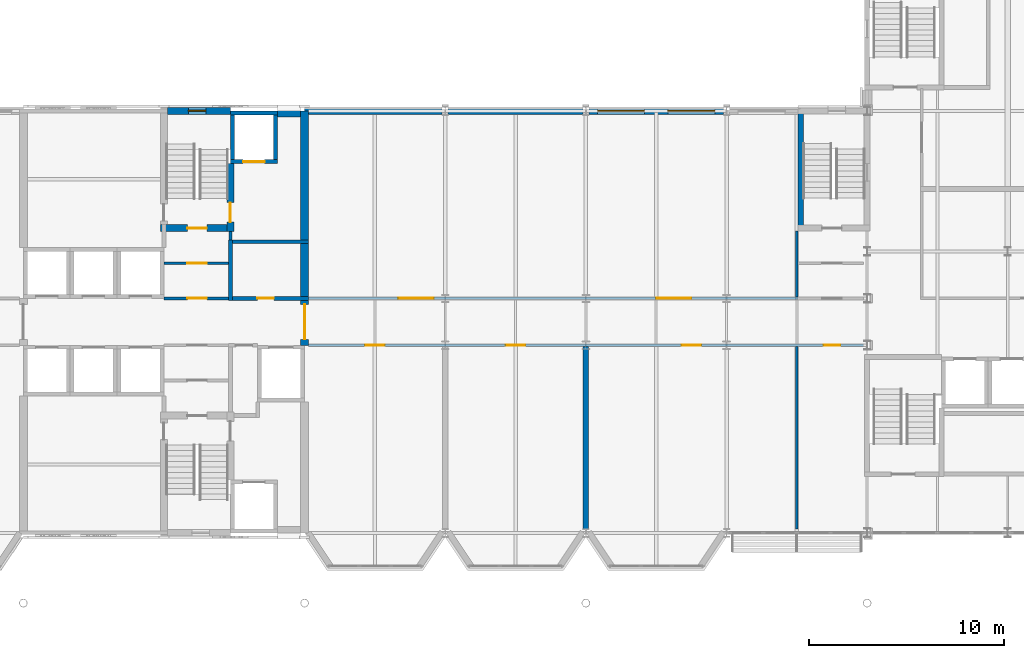
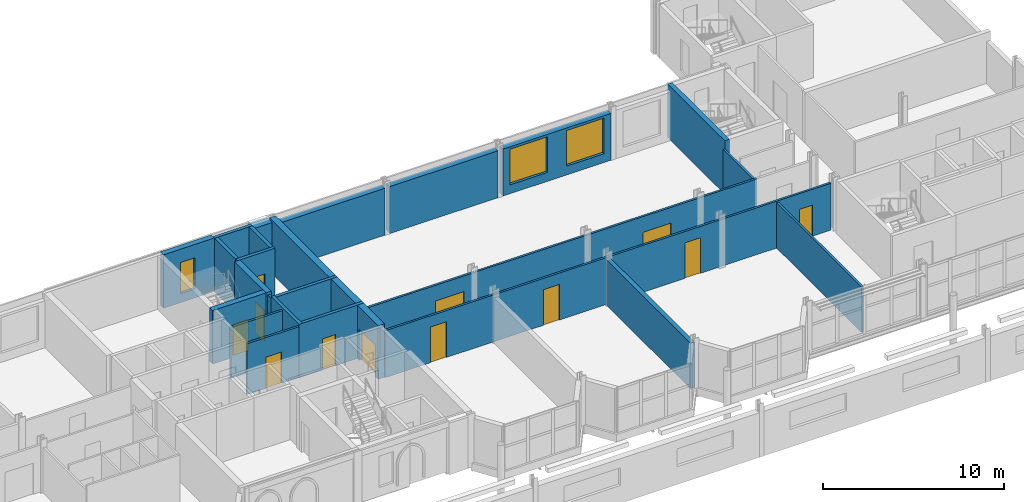
# One storey, part 76 of 124: 26 walls, 13 doors, 3 windows, 16 openings.
"""IFC4 building model written with IfcOpenShell, lengths in metres."""

from ifc_helpers import new_model, si_unit, direction, frame, frame_2d, origin, place, context, subcontext, project, spatial, rectangle, extrude, material, layer, layer_set, type_object, element, fill, save


model = new_model("IFC4")

# Units and contexts
model_context = context("Model", 3, precision=1e-05, world=origin(), true_north=direction((0.0, 1.0)))
body_context = subcontext(model_context, "Body", "Model", "MODEL_VIEW")
ifc_project = project(units=[si_unit("LENGTHUNIT", "METRE"), si_unit("AREAUNIT", "SQUARE_METRE"), si_unit("VOLUMEUNIT", "CUBIC_METRE"), si_unit("PLANEANGLEUNIT", "RADIAN"), si_unit("MASSUNIT", "GRAM", prefix="KILO")], contexts=[model_context])

# Site, building, storey
site_placement = place(None, origin())
site = spatial("IfcSite", under=ifc_project, at=site_placement, CompositionType="ELEMENT")
building_placement = place(site_placement, origin())
building = spatial("IfcBuilding", under=site, at=building_placement, Name="Kupolbacken Congress Centre", CompositionType="ELEMENT")
storey_placement = place(building_placement, frame((0.0, 0.0, 10.800048828125)))
storey = spatial("IfcBuildingStorey", under=building, at=storey_placement, Name="L03", CompositionType="ELEMENT", Elevation=10.800048828125)

# Wall, openings, windows
ifc_material_1 = material(Name="Limestone", Category="masonry")
ifc_layer_1 = layer(ifc_material_1, 0.1201171875)
ifc_material_2 = material(Name="Air cavity", Category="air")
ifc_layer_2 = layer(ifc_material_2, 0.0400390625, ventilated=True)
ifc_material_3 = material(Name="Mineral wool", Category="insulation")
ifc_layer_3 = layer(ifc_material_3, 0.169921875)
ifc_material_4 = material(Name="Steel studs", Category="metal")
ifc_layer_4 = layer(ifc_material_4, 0.050048828125)
ifc_layer_set_1 = layer_set([ifc_layer_1, ifc_layer_2, ifc_layer_3, ifc_layer_4], Name="Limestone / Mineral wool / Steel studs")
wall_type_1 = type_object("IfcWallType", Name="EW03 external cavity wall 380", PredefinedType="SOLIDWALL", material=ifc_layer_set_1)
wall_1_placement = place(storey_placement, frame((129.446533203125, 144.0, 0.0), z_axis=(0.0, 0.0, 1.0), x_axis=(-1.0, 0.0, 0.0)))
wall_1 = element("IfcWall", 1, at=wall_1_placement, inside=storey, type_object=wall_type_1, Name="E/T/N/L03/034", PredefinedType="SOLIDWALL", context=body_context, shape_type="SweptSolid", body=[
    extrude(rectangle(XDim=6.89306640625, YDim=0.3798828125, at=frame_2d((3.446533203125, 0.0))), origin(), (0.0, 0.0, 1.0), 3.159912109375),
])
opening_1_placement = place(wall_1_placement, frame((4.04638671875, 0.0, 0.60009765625)))
opening_1 = element("IfcOpeningElement", 2, at=opening_1_placement, cuts=wall_1, Name="Opening W30", PredefinedType="OPENING", context=body_context, shape_type="SweptSolid", body=[
    extrude(rectangle(XDim=2.39990234375, YDim=2.39990234375, at=frame_2d((1.199951171875, 1.199951171875))), frame((0.0, 0.199951171875, 0.0), z_axis=(0.0, -1.0, 0.0), x_axis=(1.0, 0.0, 0.0)), (0.0, 0.0, 1.0), 0.39990234375),
])
opening_2_placement = place(wall_1_placement, frame((0.446533203125, 0.0, 0.60009765625)))
opening_2 = element("IfcOpeningElement", 3, at=opening_2_placement, cuts=wall_1, Name="Opening W30", PredefinedType="OPENING", context=body_context, shape_type="SweptSolid", body=[
    extrude(rectangle(XDim=2.39990234375, YDim=2.39990234375, at=frame_2d((1.199951171875, 1.199951171875))), frame((0.0, 0.199951171875, 0.0), z_axis=(0.0, -1.0, 0.0), x_axis=(1.0, 0.0, 0.0)), (0.0, 0.0, 1.0), 0.39990234375),
])
ifc_material_5 = material(Name="Aluminium frame with double or triple glazing", Category="aluminium")
window_type_1 = type_object("IfcWindowType", Name="W30 window 2400x2400", PartitioningType="DOUBLE_PANEL_VERTICAL", PredefinedType="WINDOW", material=ifc_material_5)
window_1_placement = place(opening_1_placement, origin())
window_1 = element("IfcWindow", 4, at=window_1_placement, inside=storey, type_object=window_type_1, Name="E/T/N/L03/034/W1", OverallHeight=2.39990234375, OverallWidth=2.39990234375, PartitioningType="SINGLE_PANEL", PredefinedType="WINDOW", context=body_context, shape_type="SweptSolid", body=[
    extrude(rectangle(XDim=2.39990234375, YDim=2.39990234375, at=frame_2d((1.199951171875, 1.199951171875))), frame((0.0, 0.030029296875, 0.0), z_axis=(0.0, -1.0, 0.0), x_axis=(1.0, 0.0, 0.0)), (0.0, 0.0, 1.0), 0.06005859375),
])
fill(opening_1, window_1)
window_2_placement = place(opening_2_placement, origin())
window_2 = element("IfcWindow", 5, at=window_2_placement, inside=storey, type_object=window_type_1, Name="E/T/N/L03/034/W2", OverallHeight=2.39990234375, OverallWidth=2.39990234375, PartitioningType="SINGLE_PANEL", PredefinedType="WINDOW", context=body_context, shape_type="SweptSolid", body=[
    extrude(rectangle(XDim=2.39990234375, YDim=2.39990234375, at=frame_2d((1.199951171875, 1.199951171875))), frame((0.0, 0.030029296875, 0.0), z_axis=(0.0, -1.0, 0.0), x_axis=(1.0, 0.0, 0.0)), (0.0, 0.0, 1.0), 0.06005859375),
])
fill(opening_2, window_2)

# Walls
wall_2_placement = place(storey_placement, frame((122.24658203125, 144.0, 0.0), z_axis=(0.0, 0.0, 1.0), x_axis=(-1.0, 0.0, 0.0)))
element("IfcWall", 6, at=wall_2_placement, inside=storey, type_object=wall_type_1, Name="E/T/N/L03/035", PredefinedType="SOLIDWALL", context=body_context, shape_type="SweptSolid", body=[
    extrude(rectangle(XDim=6.89306640625, YDim=0.3798828125, at=frame_2d((3.446533203125, 0.0))), origin(), (0.0, 0.0, 1.0), 3.159912109375),
])
wall_3_placement = place(storey_placement, frame((115.04638671875, 144.0, 0.0), z_axis=(0.0, 0.0, 1.0), x_axis=(-1.0, 0.0, 0.0)))
element("IfcWall", 7, at=wall_3_placement, inside=storey, type_object=wall_type_1, Name="E/T/N/L03/036", PredefinedType="SOLIDWALL", context=body_context, shape_type="SweptSolid", body=[
    extrude(rectangle(XDim=7.04638671875, YDim=0.3798828125, at=frame_2d((3.523193359375, 0.0))), origin(), (0.0, 0.0, 1.0), 3.159912109375),
])
ifc_material_6 = material(Name="Concrete C40/50", Category="concrete")
ifc_layer_5 = layer(ifc_material_6, 0.35009765625)
ifc_layer_6 = layer(ifc_material_3, 0.1220703125)
ifc_layer_7 = layer(ifc_material_2, 0.0400390625, ventilated=True)
ifc_material_7 = material(Name="Brick", Category="masonry")
ifc_layer_8 = layer(ifc_material_7, 0.10791015625)
ifc_layer_set_2 = layer_set([ifc_layer_5, ifc_layer_6, ifc_layer_7, ifc_layer_8], Name="Concrete C40/50 / Mineral wool / Brick")
wall_type_2 = type_object("IfcWallType", Name="EW10 external cavity wall 620", PredefinedType="SOLIDWALL", material=ifc_layer_set_2)
wall_4_placement = place(storey_placement, frame((107.800048828125, 144.0, 0.0), z_axis=(0.0, 0.0, 1.0), x_axis=(-1.0, 0.0, 0.0)))
element("IfcWall", 8, at=wall_4_placement, inside=storey, type_object=wall_type_2, Name="E/T/N/L03/037", PredefinedType="SOLIDWALL", context=body_context, shape_type="SweptSolid", body=[
    extrude(rectangle(XDim=1.199951171875, YDim=0.6201171875, at=frame_2d((0.60009765625, 0.0))), origin(), (0.0, 0.0, 1.0), 3.4599609375),
])

# Wall, openings, doors
ifc_material_8 = material(Name="Gypsum board", Category="drywall")
ifc_layer_9 = layer(ifc_material_8, 0.135009765625)
ifc_layer_set_3 = layer_set([ifc_layer_9], Name="Gypsum board")
wall_type_3 = type_object("IfcWallType", Name="P06 compartment wall 135", PredefinedType="PARTITIONING", material=ifc_layer_set_3)
wall_5_placement = place(storey_placement, frame((108.199951171875, 132.0, 0.0), z_axis=(0.0, 0.0, 1.0), x_axis=(1.0, 0.0, 0.0)))
wall_5 = element("IfcWall", 9, at=wall_5_placement, inside=storey, type_object=wall_type_3, Name="T/wall/L03/x/13200/10800", PredefinedType="PARTITIONING", context=body_context, shape_type="SweptSolid", body=[
    extrude(rectangle(XDim=28.41015625, YDim=0.135009765625, at=frame_2d((14.205078125, 0.0))), origin(), (0.0, 0.0, 1.0), 3.158935546875),
])
opening_3_placement = place(wall_5_placement, frame((26.375, 0.0, 0.0)))
opening_3 = element("IfcOpeningElement", 10, at=opening_3_placement, cuts=wall_5, Name="Opening D3", PredefinedType="OPENING", context=body_context, shape_type="SweptSolid", body=[
    extrude(rectangle(XDim=0.85009765625, YDim=2.10009765625, at=frame_2d((0.425048828125, 1.050048828125))), frame((0.0, 0.077392578125, 0.0), z_axis=(0.0, -1.0, 0.0), x_axis=(1.0, 0.0, 0.0)), (0.0, 0.0, 1.0), 0.155029296875),
])
opening_4_placement = place(wall_5_placement, frame((2.89990234375, 0.0, 0.0)))
opening_4 = element("IfcOpeningElement", 11, at=opening_4_placement, cuts=wall_5, Name="Opening D8", PredefinedType="OPENING", context=body_context, shape_type="SweptSolid", body=[
    extrude(rectangle(XDim=1.0, YDim=2.39990234375, at=frame_2d((0.5, 1.199951171875))), frame((0.0, 0.077392578125, 0.0), z_axis=(0.0, -1.0, 0.0), x_axis=(1.0, 0.0, 0.0)), (0.0, 0.0, 1.0), 0.155029296875),
])
opening_5_placement = place(wall_5_placement, frame((10.10009765625, 0.0, 0.0)))
opening_5 = element("IfcOpeningElement", 12, at=opening_5_placement, cuts=wall_5, Name="Opening D8", PredefinedType="OPENING", context=body_context, shape_type="SweptSolid", body=[
    extrude(rectangle(XDim=1.0, YDim=2.39990234375, at=frame_2d((0.5, 1.199951171875))), frame((0.0, 0.077392578125, 0.0), z_axis=(0.0, -1.0, 0.0), x_axis=(1.0, 0.0, 0.0)), (0.0, 0.0, 1.0), 0.155029296875),
])
opening_6_placement = place(wall_5_placement, frame((19.10009765625, 0.0, 0.0)))
opening_6 = element("IfcOpeningElement", 13, at=opening_6_placement, cuts=wall_5, Name="Opening D8", PredefinedType="OPENING", context=body_context, shape_type="SweptSolid", body=[
    extrude(rectangle(XDim=1.0, YDim=2.39990234375, at=frame_2d((0.5, 1.199951171875))), frame((0.0, 0.077392578125, 0.0), z_axis=(0.0, -1.0, 0.0), x_axis=(1.0, 0.0, 0.0)), (0.0, 0.0, 1.0), 0.155029296875),
])
ifc_material_9 = material(Name="Steel fire door leaf", Category="steel")
door_type_1 = type_object("IfcDoorType", Name="D3 fire door 850x2100", OperationType="SINGLE_SWING_LEFT", PredefinedType="DOOR", material=ifc_material_9)
door_1_placement = place(opening_3_placement, frame((0.85009765625, 0.0, 0.0), z_axis=(0.0, 0.0, 1.0), x_axis=(-1.0, 0.0, 0.0)))
door_1 = element("IfcDoor", 14, at=door_1_placement, inside=storey, type_object=door_type_1, Name="T/wall/L03/x/13200/10800/D-EE-D", OperationType="SINGLE_SWING_LEFT", OverallHeight=2.10009765625, OverallWidth=0.85009765625, PredefinedType="DOOR", context=body_context, shape_type="SweptSolid", body=[
    extrude(rectangle(XDim=0.85009765625, YDim=2.10009765625, at=frame_2d((0.425048828125, 1.050048828125))), frame((0.0, 0.02490234375, 0.0), z_axis=(0.0, -1.0, 0.0), x_axis=(1.0, 0.0, 0.0)), (0.0, 0.0, 1.0), 0.050048828125),
])
fill(opening_3, door_1)
ifc_material_10 = material(Name="Steel fire door leaf", Category="steel")
door_type_2 = type_object("IfcDoorType", Name="D8 fire door 1000x2400", OperationType="SINGLE_SWING_LEFT", PredefinedType="DOOR", material=ifc_material_10)
door_2_placement = place(opening_4_placement, frame((1.0, 0.0, 0.0), z_axis=(0.0, 0.0, 1.0), x_axis=(-1.0, 0.0, 0.0)))
door_2 = element("IfcDoor", 15, at=door_2_placement, inside=storey, type_object=door_type_2, Name="T/wall/L03/x/13200/10800/D-PD1-S1", OperationType="SINGLE_SWING_RIGHT", OverallHeight=2.39990234375, OverallWidth=1.0, PredefinedType="DOOR", context=body_context, shape_type="SweptSolid", body=[
    extrude(rectangle(XDim=1.0, YDim=2.39990234375, at=frame_2d((0.5, 1.199951171875))), frame((0.0, 0.02490234375, 0.0), z_axis=(0.0, -1.0, 0.0), x_axis=(1.0, 0.0, 0.0)), (0.0, 0.0, 1.0), 0.050048828125),
])
fill(opening_4, door_2)
door_3_placement = place(opening_5_placement, frame((1.0, 0.0, 0.0), z_axis=(0.0, 0.0, 1.0), x_axis=(-1.0, 0.0, 0.0)))
door_3 = element("IfcDoor", 16, at=door_3_placement, inside=storey, type_object=door_type_2, Name="T/wall/L03/x/13200/10800/D-PD2-S1", OperationType="SINGLE_SWING_RIGHT", OverallHeight=2.39990234375, OverallWidth=1.0, PredefinedType="DOOR", context=body_context, shape_type="SweptSolid", body=[
    extrude(rectangle(XDim=1.0, YDim=2.39990234375, at=frame_2d((0.5, 1.199951171875))), frame((0.0, 0.02490234375, 0.0), z_axis=(0.0, -1.0, 0.0), x_axis=(1.0, 0.0, 0.0)), (0.0, 0.0, 1.0), 0.050048828125),
])
fill(opening_5, door_3)
door_4_placement = place(opening_6_placement, frame((1.0, 0.0, 0.0), z_axis=(0.0, 0.0, 1.0), x_axis=(-1.0, 0.0, 0.0)))
door_4 = element("IfcDoor", 17, at=door_4_placement, inside=storey, type_object=door_type_2, Name="T/wall/L03/x/13200/10800/D-PD3-S1", OperationType="SINGLE_SWING_LEFT", OverallHeight=2.39990234375, OverallWidth=1.0, PredefinedType="DOOR", context=body_context, shape_type="SweptSolid", body=[
    extrude(rectangle(XDim=1.0, YDim=2.39990234375, at=frame_2d((0.5, 1.199951171875))), frame((0.0, 0.02490234375, 0.0), z_axis=(0.0, -1.0, 0.0), x_axis=(1.0, 0.0, 0.0)), (0.0, 0.0, 1.0), 0.050048828125),
])
fill(opening_6, door_4)

wall_6_placement = place(storey_placement, frame((108.199951171875, 134.39990234375, 0.0), z_axis=(0.0, 0.0, 1.0), x_axis=(1.0, 0.0, 0.0)))
wall_6 = element("IfcWall", 18, at=wall_6_placement, inside=storey, type_object=wall_type_3, Name="T/wall/L03/x/13440/10810", PredefinedType="PARTITIONING", context=body_context, shape_type="SweptSolid", body=[
    extrude(rectangle(XDim=25.070068359375, YDim=0.135009765625, at=frame_2d((12.53515625, 0.0))), origin(), (0.0, 0.0, 1.0), 3.158935546875),
])
opening_7_placement = place(wall_6_placement, frame((4.60009765625, 0.0, 0.0)))
opening_7 = element("IfcOpeningElement", 19, at=opening_7_placement, cuts=wall_6, Name="Opening D14", PredefinedType="OPENING", context=body_context, shape_type="SweptSolid", body=[
    extrude(rectangle(XDim=1.800048828125, YDim=2.10009765625, at=frame_2d((0.89990234375, 1.050048828125))), frame((0.0, 0.077392578125, 0.0), z_axis=(0.0, -1.0, 0.0), x_axis=(1.0, 0.0, 0.0)), (0.0, 0.0, 1.0), 0.155029296875),
])
opening_8_placement = place(wall_6_placement, frame((17.800048828125, 0.0, 0.0)))
opening_8 = element("IfcOpeningElement", 20, at=opening_8_placement, cuts=wall_6, Name="Opening D14", PredefinedType="OPENING", context=body_context, shape_type="SweptSolid", body=[
    extrude(rectangle(XDim=1.800048828125, YDim=2.10009765625, at=frame_2d((0.89990234375, 1.050048828125))), frame((0.0, 0.077392578125, 0.0), z_axis=(0.0, -1.0, 0.0), x_axis=(1.0, 0.0, 0.0)), (0.0, 0.0, 1.0), 0.155029296875),
])
ifc_material_11 = material(Name="Steel fire door leaf", Category="steel")
door_type_3 = type_object("IfcDoorType", Name="D14 fire door 1800x2100", OperationType="DOUBLE_DOOR_SINGLE_SWING", PredefinedType="DOOR", material=ifc_material_11)
door_5_placement = place(opening_7_placement, origin())
door_5 = element("IfcDoor", 21, at=door_5_placement, inside=storey, type_object=door_type_3, Name="T/wall/L03/x/13440/10810/D-RFY-S1", OperationType="DOUBLE_DOOR_SINGLE_SWING", OverallHeight=2.10009765625, OverallWidth=1.800048828125, PredefinedType="DOOR", context=body_context, shape_type="SweptSolid", body=[
    extrude(rectangle(XDim=1.800048828125, YDim=2.10009765625, at=frame_2d((0.89990234375, 1.050048828125))), frame((0.0, 0.02490234375, 0.0), z_axis=(0.0, -1.0, 0.0), x_axis=(1.0, 0.0, 0.0)), (0.0, 0.0, 1.0), 0.050048828125),
])
fill(opening_7, door_5)
door_6_placement = place(opening_8_placement, origin())
door_6 = element("IfcDoor", 22, at=door_6_placement, inside=storey, type_object=door_type_3, Name="T/wall/L03/x/13440/10810/D-RFY-S2", OperationType="DOUBLE_DOOR_SINGLE_SWING", OverallHeight=2.10009765625, OverallWidth=1.800048828125, PredefinedType="DOOR", context=body_context, shape_type="SweptSolid", body=[
    extrude(rectangle(XDim=1.800048828125, YDim=2.10009765625, at=frame_2d((0.89990234375, 1.050048828125))), frame((0.0, 0.02490234375, 0.0), z_axis=(0.0, -1.0, 0.0), x_axis=(1.0, 0.0, 0.0)), (0.0, 0.0, 1.0), 0.050048828125),
])
fill(opening_8, door_6)

# Walls
wall_7_placement = place(storey_placement, frame((133.199951171875, 122.590087890625, 0.0), z_axis=(0.0, 0.0, 1.0), x_axis=(0.0, 1.0, 0.0)))
element("IfcWall", 23, at=wall_7_placement, inside=storey, type_object=wall_type_3, Name="T/wall/L03/y/13320/12240", PredefinedType="PARTITIONING", context=body_context, shape_type="SweptSolid", body=[
    extrude(rectangle(XDim=9.342529296875, YDim=0.135009765625, at=frame_2d((4.67138671875, 0.0))), origin(), (0.0, 0.0, 1.0), 3.06005859375),
])
ifc_material_12 = material(Name="Gypsum board", Category="drywall")
ifc_layer_10 = layer(ifc_material_12, 0.27490234375)
ifc_layer_set_4 = layer_set([ifc_layer_10], Name="Gypsum board")
wall_type_4 = type_object("IfcWallType", Name="P12 partition 275", PredefinedType="PARTITIONING", material=ifc_layer_set_4)
wall_8_placement = place(storey_placement, frame((122.39990234375, 122.60009765625, 0.0), z_axis=(0.0, 0.0, 1.0), x_axis=(0.0, 1.0, 0.0)))
element("IfcWall", 24, at=wall_8_placement, inside=storey, type_object=wall_type_4, Name="T/wall/L03/y/12240/12080", PredefinedType="PARTITIONING", context=body_context, shape_type="SweptSolid", body=[
    extrude(rectangle(XDim=9.33251953125, YDim=0.27490234375, at=frame_2d((4.666259765625, 0.0))), origin(), (0.0, 0.0, 1.0), 3.06005859375),
])

# Wall, opening, door
ifc_material_13 = material(Name="Aerated concrete block", Category="masonry")
ifc_layer_11 = layer(ifc_material_13, 0.139892578125)
ifc_layer_set_5 = layer_set([ifc_layer_11], Name="Aerated concrete block")
wall_type_5 = type_object("IfcWallType", Name="P14 compartment wall 140", PredefinedType="PARTITIONING", material=ifc_layer_set_5)
wall_9_placement = place(storey_placement, frame((100.800048828125, 134.39990234375, 0.0), z_axis=(0.0, 0.0, 1.0), x_axis=(1.0, 0.0, 0.0)))
wall_9 = element("IfcWall", 25, at=wall_9_placement, inside=storey, type_object=wall_type_5, Name="T/wall/L03/x/13440/10080", PredefinedType="PARTITIONING", context=body_context, shape_type="SweptSolid", body=[
    extrude(rectangle(XDim=3.300048828125, YDim=0.139892578125, at=frame_2d((1.64990234375, 0.0))), origin(), (0.0, 0.0, 1.0), 3.419921875),
])
opening_9_placement = place(wall_9_placement, frame((1.199951171875, 0.0, 0.0)))
opening_9 = element("IfcOpeningElement", 26, at=opening_9_placement, cuts=wall_9, Name="Opening D5", PredefinedType="OPENING", context=body_context, shape_type="SweptSolid", body=[
    extrude(rectangle(XDim=1.0, YDim=2.10009765625, at=frame_2d((0.5, 1.050048828125))), frame((0.0, 0.079833984375, 0.0), z_axis=(0.0, -1.0, 0.0), x_axis=(1.0, 0.0, 0.0)), (0.0, 0.0, 1.0), 0.159912109375),
])
ifc_material_14 = material(Name="Steel fire door leaf", Category="steel")
door_type_4 = type_object("IfcDoorType", Name="D5 stair door 1000x2100", OperationType="SINGLE_SWING_LEFT", PredefinedType="DOOR", material=ifc_material_14)
door_7_placement = place(opening_9_placement, frame((1.0, 0.0, 0.0), z_axis=(0.0, 0.0, 1.0), x_axis=(-1.0, 0.0, 0.0)))
door_7 = element("IfcDoor", 27, at=door_7_placement, inside=storey, type_object=door_type_4, Name="T/wall/L03/x/13440/10080/D-TS2-LK3", OperationType="SINGLE_SWING_RIGHT", OverallHeight=2.10009765625, OverallWidth=1.0, PredefinedType="DOOR", context=body_context, shape_type="SweptSolid", body=[
    extrude(rectangle(XDim=1.0, YDim=2.10009765625, at=frame_2d((0.5, 1.050048828125))), frame((0.0, 0.02490234375, 0.0), z_axis=(0.0, -1.0, 0.0), x_axis=(1.0, 0.0, 0.0)), (0.0, 0.0, 1.0), 0.050048828125),
])
fill(opening_9, door_7)

wall_10_placement = place(storey_placement, frame((100.800048828125, 136.199951171875, 0.0), z_axis=(0.0, 0.0, 1.0), x_axis=(1.0, 0.0, 0.0)))
wall_10 = element("IfcWall", 28, at=wall_10_placement, inside=storey, type_object=wall_type_5, Name="T/wall/L03/x/13620/10080", PredefinedType="PARTITIONING", context=body_context, shape_type="SweptSolid", body=[
    extrude(rectangle(XDim=3.300048828125, YDim=0.139892578125, at=frame_2d((1.64990234375, 0.0))), origin(), (0.0, 0.0, 1.0), 3.419921875),
])
opening_10_placement = place(wall_10_placement, frame((1.199951171875, 0.0, 0.0)))
opening_10 = element("IfcOpeningElement", 29, at=opening_10_placement, cuts=wall_10, Name="Opening D5", PredefinedType="OPENING", context=body_context, shape_type="SweptSolid", body=[
    extrude(rectangle(XDim=1.0, YDim=2.10009765625, at=frame_2d((0.5, 1.050048828125))), frame((0.0, 0.079833984375, 0.0), z_axis=(0.0, -1.0, 0.0), x_axis=(1.0, 0.0, 0.0)), (0.0, 0.0, 1.0), 0.159912109375),
])
door_8_placement = place(opening_10_placement, frame((1.0, 0.0, 0.0), z_axis=(0.0, 0.0, 1.0), x_axis=(-1.0, 0.0, 0.0)))
door_8 = element("IfcDoor", 30, at=door_8_placement, inside=storey, type_object=door_type_4, Name="T/wall/L03/x/13620/10080/D-TS2-LK2", OperationType="SINGLE_SWING_RIGHT", OverallHeight=2.10009765625, OverallWidth=1.0, PredefinedType="DOOR", context=body_context, shape_type="SweptSolid", body=[
    extrude(rectangle(XDim=1.0, YDim=2.10009765625, at=frame_2d((0.5, 1.050048828125))), frame((0.0, 0.02490234375, 0.0), z_axis=(0.0, -1.0, 0.0), x_axis=(1.0, 0.0, 0.0)), (0.0, 0.0, 1.0), 0.050048828125),
])
fill(opening_10, door_8)

# Walls
wall_11_placement = place(storey_placement, frame((104.199951171875, 137.39990234375, 0.0), z_axis=(0.0, 0.0, 1.0), x_axis=(0.0, 1.0, 0.0)))
element("IfcWall", 31, at=wall_11_placement, inside=storey, type_object=wall_type_5, Name="T/wall/L03/y/10420/13740", PredefinedType="PARTITIONING", context=body_context, shape_type="SweptSolid", body=[
    extrude(rectangle(XDim=0.425048828125, YDim=0.139892578125, at=frame_2d((0.21240234375, 0.0))), origin(), (0.0, 0.0, 1.0), 3.419921875),
])
wall_12_placement = place(storey_placement, frame((133.199951171875, 134.469970703125, 0.0), z_axis=(0.0, 0.0, 1.0), x_axis=(0.0, 1.0, 0.0)))
element("IfcWall", 32, at=wall_12_placement, inside=storey, type_object=wall_type_5, Name="T/wall/L03/y/13320/13440", PredefinedType="PARTITIONING", context=body_context, shape_type="SweptSolid", body=[
    extrude(rectangle(XDim=3.380126953125, YDim=0.139892578125, at=frame_2d((1.68994140625, 0.0))), origin(), (0.0, 0.0, 1.0), 3.06005859375),
])

# Wall, opening, door
ifc_material_15 = material(Name="Concrete C40/50", Category="concrete")
ifc_layer_12 = layer(ifc_material_15, 0.199951171875)
ifc_layer_set_6 = layer_set([ifc_layer_12], Name="Concrete C40/50")
wall_type_6 = type_object("IfcWallType", Name="WC1 RC shaft wall 200", PredefinedType="SHEAR", material=ifc_layer_set_6)
wall_13_placement = place(storey_placement, frame((104.10009765625, 134.39990234375, 0.0), z_axis=(0.0, 0.0, 1.0), x_axis=(1.0, 0.0, 0.0)))
wall_13 = element("IfcWall", 33, at=wall_13_placement, inside=storey, type_object=wall_type_6, Name="Shaft wall L03-112", PredefinedType="SHEAR", context=body_context, shape_type="SweptSolid", body=[
    extrude(rectangle(XDim=4.099853515625, YDim=0.199951171875, at=frame_2d((2.0498046875, 0.0))), origin(), (0.0, 0.0, 1.0), 3.599853515625),
])
opening_11_placement = place(wall_13_placement, frame((1.47509765625, 0.0, 0.0)))
opening_11 = element("IfcOpeningElement", 34, at=opening_11_placement, cuts=wall_13, Name="Opening D3", PredefinedType="OPENING", context=body_context, shape_type="SweptSolid", body=[
    extrude(rectangle(XDim=0.85009765625, YDim=2.10009765625, at=frame_2d((0.425048828125, 1.050048828125))), frame((0.0, 0.10986328125, 0.0), z_axis=(0.0, -1.0, 0.0), x_axis=(1.0, 0.0, 0.0)), (0.0, 0.0, 1.0), 0.219970703125),
])
door_9_placement = place(opening_11_placement, origin())
door_9 = element("IfcDoor", 35, at=door_9_placement, inside=storey, type_object=door_type_1, Name="S/core/L03/112/D-TR4-A", OperationType="SINGLE_SWING_RIGHT", OverallHeight=2.10009765625, OverallWidth=0.85009765625, PredefinedType="DOOR", context=body_context, shape_type="SweptSolid", body=[
    extrude(rectangle(XDim=0.85009765625, YDim=2.10009765625, at=frame_2d((0.425048828125, 1.050048828125))), frame((0.0, 0.02490234375, 0.0), z_axis=(0.0, -1.0, 0.0), x_axis=(1.0, 0.0, 0.0)), (0.0, 0.0, 1.0), 0.050048828125),
])
fill(opening_11, door_9)

# Walls
wall_14_placement = place(storey_placement, frame((104.199951171875, 137.39990234375, 0.0), z_axis=(0.0, 0.0, 1.0), x_axis=(0.0, -1.0, 0.0)))
element("IfcWall", 36, at=wall_14_placement, inside=storey, type_object=wall_type_6, Name="Shaft wall L03-115", PredefinedType="SHEAR", context=body_context, shape_type="SweptSolid", body=[
    extrude(rectangle(XDim=3.099853515625, YDim=0.199951171875, at=frame_2d((1.5498046875, 0.0))), origin(), (0.0, 0.0, 1.0), 3.599853515625),
])
wall_15_placement = place(storey_placement, frame((108.199951171875, 137.300048828125, 0.0), z_axis=(0.0, 0.0, 1.0), x_axis=(-1.0, 0.0, 0.0)))
element("IfcWall", 37, at=wall_15_placement, inside=storey, type_object=wall_type_6, Name="Shaft wall L03-116", PredefinedType="SHEAR", context=body_context, shape_type="SweptSolid", body=[
    extrude(rectangle(XDim=4.099853515625, YDim=0.199951171875, at=frame_2d((2.0498046875, 0.0))), origin(), (0.0, 0.0, 1.0), 3.599853515625),
])

# Wall, opening, door
wall_16_placement = place(storey_placement, frame((104.199951171875, 141.39990234375, 0.0), z_axis=(0.0, 0.0, 1.0), x_axis=(1.0, 0.0, 0.0)))
wall_16 = element("IfcWall", 38, at=wall_16_placement, inside=storey, type_object=wall_type_6, Name="Shaft wall LF2", PredefinedType="SHEAR", context=body_context, shape_type="SweptSolid", body=[
    extrude(rectangle(XDim=2.400146484375, YDim=0.199951171875, at=frame_2d((1.2001953125, 0.0))), origin(), (0.0, 0.0, 1.0), 3.599853515625),
])
opening_12_placement = place(wall_16_placement, frame((0.64990234375, 0.0, 0.0)))
opening_12 = element("IfcOpeningElement", 39, at=opening_12_placement, cuts=wall_16, Name="Opening LD2", PredefinedType="OPENING", context=body_context, shape_type="SweptSolid", body=[
    extrude(rectangle(XDim=1.10009765625, YDim=2.10009765625, at=frame_2d((0.550048828125, 1.050048828125))), frame((0.0, 0.10986328125, 0.0), z_axis=(0.0, -1.0, 0.0), x_axis=(1.0, 0.0, 0.0)), (0.0, 0.0, 1.0), 0.219970703125),
])
ifc_material_16 = material(Name="Stainless steel door leaf", Category="steel")
door_type_5 = type_object("IfcDoorType", Name="LD2 lift landing door 1100x2100", OperationType="SLIDING_TO_LEFT", PredefinedType="DOOR", material=ifc_material_16)
door_10_placement = place(opening_12_placement, origin())
door_10 = element("IfcDoor", 40, at=door_10_placement, inside=storey, type_object=door_type_5, Name="Lift landing door LF2", OperationType="SLIDING_TO_LEFT", OverallHeight=2.10009765625, OverallWidth=1.10009765625, PredefinedType="DOOR", context=body_context, shape_type="SweptSolid", body=[
    extrude(rectangle(XDim=1.10009765625, YDim=2.10009765625, at=frame_2d((0.550048828125, 1.050048828125))), frame((0.0, 0.02490234375, 0.0), z_axis=(0.0, -1.0, 0.0), x_axis=(1.0, 0.0, 0.0)), (0.0, 0.0, 1.0), 0.050048828125),
])
fill(opening_12, door_10)

# Walls
wall_17_placement = place(storey_placement, frame((104.199951171875, 143.89990234375, 0.0), z_axis=(0.0, 0.0, 1.0), x_axis=(1.0, 0.0, 0.0)))
element("IfcWall", 41, at=wall_17_placement, inside=storey, type_object=wall_type_6, Name="Shaft wall LF2", PredefinedType="SHEAR", context=body_context, shape_type="SweptSolid", body=[
    extrude(rectangle(XDim=2.400146484375, YDim=0.199951171875, at=frame_2d((1.2001953125, 0.0))), origin(), (0.0, 0.0, 1.0), 3.599853515625),
])
for number, where, z_axis, x_axis, name in (
    (42, (104.300048828125, 141.5, 0.0), (0.0, 0.0, 1.0), (0.0, 1.0, 0.0), "Shaft wall LF2"),
    (43, (106.5, 141.5, 0.0), (0.0, 0.0, 1.0), (0.0, 1.0, 0.0), "Shaft wall LF2"),
):
    element("IfcWall", number, at=place(storey_placement, frame(where, z_axis=z_axis, x_axis=x_axis)), inside=storey, type_object=wall_type_6, Name=name, PredefinedType="SHEAR", context=body_context, shape_type="SweptSolid", body=[
        extrude(rectangle(XDim=2.300048828125, YDim=0.199951171875, at=frame_2d((1.14990234375, 0.0))), origin(), (0.0, 0.0, 1.0), 3.599853515625),
    ])
ifc_material_17 = material(Name="Concrete C40/50", Category="concrete")
ifc_layer_13 = layer(ifc_material_17, 0.300048828125)
ifc_layer_set_7 = layer_set([ifc_layer_13], Name="Concrete C40/50")
wall_type_7 = type_object("IfcWallType", Name="WC3 RC core wall 300", PredefinedType="SHEAR", material=ifc_layer_set_7)
wall_18_placement = place(storey_placement, frame((133.39990234375, 144.14990234375, 0.0), z_axis=(0.0, 0.0, 1.0), x_axis=(0.0, -1.0, 0.0)))
element("IfcWall", 44, at=wall_18_placement, inside=storey, type_object=wall_type_7, Name="Core wall L03-130", PredefinedType="SHEAR", context=body_context, shape_type="SweptSolid", body=[
    extrude(rectangle(XDim=6.2998046875, YDim=0.300048828125, at=frame_2d((3.14990234375, 0.0))), origin(), (0.0, 0.0, 1.0), 3.599853515625),
])

# Wall, opening, door
ifc_material_18 = material(Name="Concrete C40/50", Category="concrete")
ifc_layer_14 = layer(ifc_material_18, 0.35009765625)
ifc_layer_set_8 = layer_set([ifc_layer_14], Name="Concrete C40/50")
wall_type_8 = type_object("IfcWallType", Name="WC4 RC core wall 350", PredefinedType="SHEAR", material=ifc_layer_set_8)
wall_19_placement = place(storey_placement, frame((100.625, 138.0, 0.0), z_axis=(0.0, 0.0, 1.0), x_axis=(1.0, 0.0, 0.0)))
wall_19 = element("IfcWall", 45, at=wall_19_placement, inside=storey, type_object=wall_type_8, Name="Core wall L03-120", PredefinedType="SHEAR", context=body_context, shape_type="SweptSolid", body=[
    extrude(rectangle(XDim=3.75, YDim=0.35009765625, at=frame_2d((1.875, 0.0))), origin(), (0.0, 0.0, 1.0), 3.599853515625),
])
opening_13_placement = place(wall_19_placement, frame((1.375, 0.0, 0.0)))
opening_13 = element("IfcOpeningElement", 46, at=opening_13_placement, cuts=wall_19, Name="Opening D5", PredefinedType="OPENING", context=body_context, shape_type="SweptSolid", body=[
    extrude(rectangle(XDim=1.0, YDim=2.10009765625, at=frame_2d((0.5, 1.050048828125))), frame((0.0, 0.18505859375, 0.0), z_axis=(0.0, -1.0, 0.0), x_axis=(1.0, 0.0, 0.0)), (0.0, 0.0, 1.0), 0.3701171875),
])
door_11_placement = place(opening_13_placement, origin())
door_11 = element("IfcDoor", 47, at=door_11_placement, inside=storey, type_object=door_type_4, Name="S/core/L03/120/D-TS2-LK1", OperationType="SINGLE_SWING_RIGHT", OverallHeight=2.10009765625, OverallWidth=1.0, PredefinedType="DOOR", context=body_context, shape_type="SweptSolid", body=[
    extrude(rectangle(XDim=1.0, YDim=2.10009765625, at=frame_2d((0.5, 1.050048828125))), frame((0.0, 0.02490234375, 0.0), z_axis=(0.0, -1.0, 0.0), x_axis=(1.0, 0.0, 0.0)), (0.0, 0.0, 1.0), 0.050048828125),
])
fill(opening_13, door_11)

wall_20_placement = place(storey_placement, frame((104.199951171875, 137.824951171875, 0.0), z_axis=(0.0, 0.0, 1.0), x_axis=(0.0, 1.0, 0.0)))
wall_20 = element("IfcWall", 48, at=wall_20_placement, inside=storey, type_object=wall_type_8, Name="Core wall L03-121", PredefinedType="SHEAR", context=body_context, shape_type="SweptSolid", body=[
    extrude(rectangle(XDim=3.47509765625, YDim=0.35009765625, at=frame_2d((1.737548828125, 0.0))), origin(), (0.0, 0.0, 1.0), 3.599853515625),
])
opening_14_placement = place(wall_20_placement, frame((0.47509765625, 0.0, 0.0)))
opening_14 = element("IfcOpeningElement", 49, at=opening_14_placement, cuts=wall_20, Name="Opening D5", PredefinedType="OPENING", context=body_context, shape_type="SweptSolid", body=[
    extrude(rectangle(XDim=1.0, YDim=2.10009765625, at=frame_2d((0.5, 1.050048828125))), frame((0.0, 0.18505859375, 0.0), z_axis=(0.0, -1.0, 0.0), x_axis=(1.0, 0.0, 0.0)), (0.0, 0.0, 1.0), 0.3701171875),
])
door_12_placement = place(opening_14_placement, origin())
door_12 = element("IfcDoor", 50, at=door_12_placement, inside=storey, type_object=door_type_4, Name="S/core/L03/121/D-TFL2-A", OperationType="SINGLE_SWING_RIGHT", OverallHeight=2.10009765625, OverallWidth=1.0, PredefinedType="DOOR", context=body_context, shape_type="SweptSolid", body=[
    extrude(rectangle(XDim=1.0, YDim=2.10009765625, at=frame_2d((0.5, 1.050048828125))), frame((0.0, 0.02490234375, 0.0), z_axis=(0.0, -1.0, 0.0), x_axis=(1.0, 0.0, 0.0)), (0.0, 0.0, 1.0), 0.050048828125),
])
fill(opening_14, door_12)

# Wall, opening, window
wall_21_placement = place(storey_placement, frame((104.199951171875, 144.0, 0.0), z_axis=(0.0, 0.0, 1.0), x_axis=(-1.0, 0.0, 0.0)))
wall_21 = element("IfcWall", 51, at=wall_21_placement, inside=storey, type_object=wall_type_8, Name="Core wall L03-129", PredefinedType="SHEAR", context=body_context, shape_type="SweptSolid", body=[
    extrude(rectangle(XDim=3.224853515625, YDim=0.35009765625, at=frame_2d((1.6123046875, 0.0))), origin(), (0.0, 0.0, 1.0), 3.599853515625),
])
opening_15_placement = place(wall_21_placement, frame((1.25, 0.0, 0.60009765625)))
opening_15 = element("IfcOpeningElement", 52, at=opening_15_placement, cuts=wall_21, Name="Opening W28", PredefinedType="OPENING", context=body_context, shape_type="SweptSolid", body=[
    extrude(rectangle(XDim=0.89990234375, YDim=2.10009765625, at=frame_2d((0.449951171875, 1.050048828125))), frame((0.0, 0.18505859375, 0.0), z_axis=(0.0, -1.0, 0.0), x_axis=(1.0, 0.0, 0.0)), (0.0, 0.0, 1.0), 0.3701171875),
])
ifc_material_19 = material(Name="Aluminium frame with double or triple glazing", Category="aluminium")
window_type_2 = type_object("IfcWindowType", Name="W28 window 900x2100", PartitioningType="SINGLE_PANEL", PredefinedType="WINDOW", material=ifc_material_19)
window_3_placement = place(opening_15_placement, origin())
window_3 = element("IfcWindow", 53, at=window_3_placement, inside=storey, type_object=window_type_2, Name="S/core/L03/129/WW28", OverallHeight=2.10009765625, OverallWidth=0.89990234375, PartitioningType="SINGLE_PANEL", PredefinedType="WINDOW", context=body_context, shape_type="SweptSolid", body=[
    extrude(rectangle(XDim=0.89990234375, YDim=2.10009765625, at=frame_2d((0.449951171875, 1.050048828125))), frame((0.0, 0.030029296875, 0.0), z_axis=(0.0, -1.0, 0.0), x_axis=(1.0, 0.0, 0.0)), (0.0, 0.0, 1.0), 0.06005859375),
])
fill(opening_15, window_3)

# Wall, opening, door
ifc_material_20 = material(Name="Concrete C40/50", Category="concrete")
ifc_layer_15 = layer(ifc_material_20, 0.39990234375)
ifc_layer_set_9 = layer_set([ifc_layer_15], Name="Concrete C40/50")
wall_type_9 = type_object("IfcWallType", Name="WC5 RC core wall 400", PredefinedType="SHEAR", material=ifc_layer_set_9)
wall_22_placement = place(storey_placement, frame((108.0, 132.0, 0.0), z_axis=(0.0, 0.0, 1.0), x_axis=(0.0, 1.0, 0.0)))
wall_22 = element("IfcWall", 54, at=wall_22_placement, inside=storey, type_object=wall_type_9, Name="Core wall L03-111", PredefinedType="SHEAR", context=body_context, shape_type="SweptSolid", body=[
    extrude(rectangle(XDim=2.5, YDim=0.39990234375, at=frame_2d((1.25, 0.0))), origin(), (0.0, 0.0, 1.0), 3.599853515625),
])
opening_16_placement = place(wall_22_placement, frame((0.300048828125, 0.0, 0.0)))
opening_16 = element("IfcOpeningElement", 55, at=opening_16_placement, cuts=wall_22, Name="Opening D14", PredefinedType="OPENING", context=body_context, shape_type="SweptSolid", body=[
    extrude(rectangle(XDim=1.800048828125, YDim=2.10009765625, at=frame_2d((0.89990234375, 1.050048828125))), frame((0.0, 0.2099609375, 0.0), z_axis=(0.0, -1.0, 0.0), x_axis=(1.0, 0.0, 0.0)), (0.0, 0.0, 1.0), 0.419921875),
])
door_13_placement = place(opening_16_placement, frame((1.800048828125, 0.0, 0.0), z_axis=(0.0, 0.0, 1.0), x_axis=(-1.0, 0.0, 0.0)))
door_13 = element("IfcDoor", 56, at=door_13_placement, inside=storey, type_object=door_type_3, Name="S/core/L03/111/D-CX-E", OperationType="DOUBLE_DOOR_SINGLE_SWING", OverallHeight=2.10009765625, OverallWidth=1.800048828125, PredefinedType="DOOR", context=body_context, shape_type="SweptSolid", body=[
    extrude(rectangle(XDim=1.800048828125, YDim=2.10009765625, at=frame_2d((0.89990234375, 1.050048828125))), frame((0.0, 0.02490234375, 0.0), z_axis=(0.0, -1.0, 0.0), x_axis=(1.0, 0.0, 0.0)), (0.0, 0.0, 1.0), 0.050048828125),
])
fill(opening_16, door_13)

# Walls
wall_23_placement = place(storey_placement, frame((108.0, 134.5, 0.0), z_axis=(0.0, 0.0, 1.0), x_axis=(0.0, 1.0, 0.0)))
element("IfcWall", 57, at=wall_23_placement, inside=storey, type_object=wall_type_9, Name="Core wall L03-113", PredefinedType="SHEAR", context=body_context, shape_type="SweptSolid", body=[
    extrude(rectangle(XDim=2.89990234375, YDim=0.39990234375, at=frame_2d((1.449951171875, 0.0))), origin(), (0.0, 0.0, 1.0), 3.599853515625),
])
wall_24_placement = place(storey_placement, frame((108.0, 137.39990234375, 0.0), z_axis=(0.0, 0.0, 1.0), x_axis=(0.0, 1.0, 0.0)))
element("IfcWall", 58, at=wall_24_placement, inside=storey, type_object=wall_type_9, Name="Core wall L03-117", PredefinedType="SHEAR", context=body_context, shape_type="SweptSolid", body=[
    extrude(rectangle(XDim=6.60009765625, YDim=0.39990234375, at=frame_2d((3.300048828125, 0.0))), origin(), (0.0, 0.0, 1.0), 3.599853515625),
])

save(model, "model.ifc")
